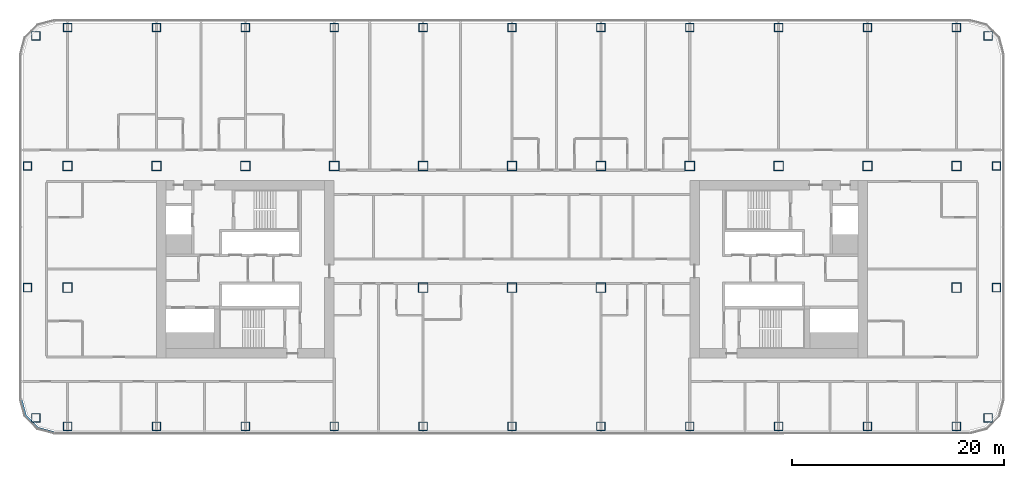
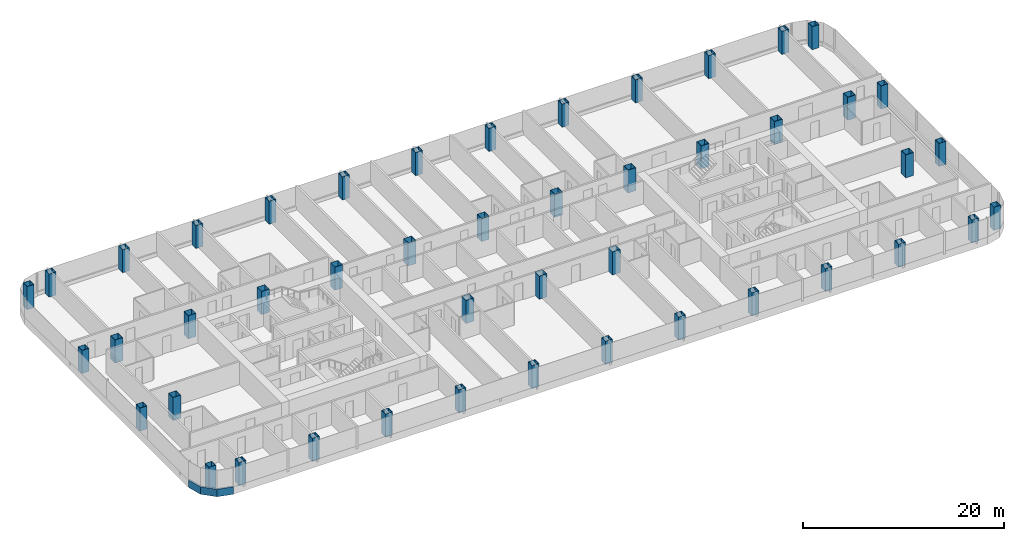
# One storey, part 1 of 29: 46 columns, 1 member, 1 element without a shape of its own.
"""IFC4 building model written with IfcOpenShell, lengths in metres."""

from ifc_helpers import new_model, si_unit, direction, frame, origin, origin_2d, place, context, subcontext, project, spatial, polyline, rectangle, hollow_rectangle, outline, extrude, material, layer, layer_set, material_profile, profile_set, type_object, element, aggregate, save


model = new_model("IFC4")

# Units and contexts
model_context = context("Model", 3, precision=1e-05, world=origin(), true_north=direction((0.0, 1.0)))
body_context = subcontext(model_context, "Body", "Model", "MODEL_VIEW")
ifc_project = project(units=[si_unit("LENGTHUNIT", "METRE"), si_unit("AREAUNIT", "SQUARE_METRE"), si_unit("VOLUMEUNIT", "CUBIC_METRE"), si_unit("PLANEANGLEUNIT", "RADIAN"), si_unit("MASSUNIT", "GRAM", prefix="KILO")], contexts=[model_context])

# Site, building, storey
site_placement = place(None, origin())
site = spatial("IfcSite", under=ifc_project, at=site_placement, CompositionType="ELEMENT")
building_placement = place(site_placement, origin())
building = spatial("IfcBuilding", under=site, at=building_placement, Name="Hakoniwa Tower and Hamabe Station Hall", CompositionType="ELEMENT")
storey_placement = place(building_placement, frame((0.0, 0.0, 78.60009765625)))
storey = spatial("IfcBuildingStorey", under=building, at=storey_placement, Name="L21", CompositionType="ELEMENT", Elevation=78.60009765625)

# Columns
ifc_material_1 = material(Name="Steel SN490C", Category="steel")
ifc_material_profile_1 = material_profile(ifc_material_1, hollow_rectangle(XDim=0.800048828125, YDim=0.800048828125, WallThickness=0.031982421875, at=origin_2d()), Name="BX-800x800x32")
ifc_profile_set_1 = profile_set([ifc_material_profile_1], Name="Steel SN490C")
column_type_1 = type_object("IfcColumnType", Name="COLUMN BX-800x800x32", PredefinedType="COLUMN", material=ifc_profile_set_1)
for number, where, z_axis, x_axis, name in (
    (1, (-45.003173828125, -14.052978515625, 0.0), (0.0, 0.0, 1.0), (1.0, 0.0, 0.0), "Column B2-EW-A2"),
    (2, (-45.800048828125, -1.75, 0.0), (0.0, 0.0, 1.0), (1.0, 0.0, 0.0), "Column B2-EW-C2"),
    (3, (-45.800048828125, 9.75, 0.0), (0.0, 0.0, 1.0), (1.0, 0.0, 0.0), "Column B2-EW-E2"),
    (4, (-45.003173828125, 22.052978515625, 0.0), (0.0, 0.0, 1.0), (1.0, 0.0, 0.0), "Column B2-EW-G2"),
    (5, (-42.0, -14.85009765625, 0.0), (0.0, 0.0, 1.0), (1.0, 0.0, 0.0), "Column B2-2-A2"),
    (6, (-42.0, 22.85009765625, 0.0), (0.0, 0.0, 1.0), (1.0, 0.0, 0.0), "Column B2-2-G2"),
    (7, (-33.60009765625, -14.85009765625, 0.0), (0.0, 0.0, 1.0), (1.0, 0.0, 0.0), "Column B2-3-A2"),
    (8, (-33.60009765625, 22.85009765625, 0.0), (0.0, 0.0, 1.0), (1.0, 0.0, 0.0), "Column B2-3-G2"),
    (9, (-25.199951171875, -14.85009765625, 0.0), (0.0, 0.0, 1.0), (1.0, 0.0, 0.0), "Column B2-4-A2"),
    (10, (-25.199951171875, 22.85009765625, 0.0), (0.0, 0.0, 1.0), (1.0, 0.0, 0.0), "Column B2-4-G2"),
    (11, (-16.800048828125, -14.85009765625, 0.0), (0.0, 0.0, 1.0), (1.0, 0.0, 0.0), "Column B2-5-A2"),
    (12, (-16.800048828125, 22.85009765625, 0.0), (0.0, 0.0, 1.0), (1.0, 0.0, 0.0), "Column B2-5-G2"),
    (13, (-8.39990234375, -14.85009765625, 0.0), (0.0, 0.0, 1.0), (1.0, 0.0, 0.0), "Column B2-6-A2"),
    (14, (-8.39990234375, 22.85009765625, 0.0), (0.0, 0.0, 1.0), (1.0, 0.0, 0.0), "Column B2-6-G2"),
    (15, (0.0, -14.85009765625, 0.0), (0.0, 0.0, 1.0), (1.0, 0.0, 0.0), "Column B2-7-A2"),
    (16, (0.0, 22.85009765625, 0.0), (0.0, 0.0, 1.0), (1.0, 0.0, 0.0), "Column B2-7-G2"),
    (17, (8.39990234375, -14.85009765625, 0.0), (0.0, 0.0, 1.0), (1.0, 0.0, 0.0), "Column B2-8-A2"),
    (18, (8.39990234375, 22.85009765625, 0.0), (0.0, 0.0, 1.0), (1.0, 0.0, 0.0), "Column B2-8-G2"),
    (19, (16.800048828125, -14.85009765625, 0.0), (0.0, 0.0, 1.0), (1.0, 0.0, 0.0), "Column B2-9-A2"),
    (20, (16.800048828125, 22.85009765625, 0.0), (0.0, 0.0, 1.0), (1.0, 0.0, 0.0), "Column B2-9-G2"),
    (21, (25.199951171875, -14.85009765625, 0.0), (0.0, 0.0, 1.0), (1.0, 0.0, 0.0), "Column B2-10-A2"),
    (22, (25.199951171875, 22.85009765625, 0.0), (0.0, 0.0, 1.0), (1.0, 0.0, 0.0), "Column B2-10-G2"),
    (23, (33.60009765625, -14.85009765625, 0.0), (0.0, 0.0, 1.0), (1.0, 0.0, 0.0), "Column B2-11-A2"),
    (24, (33.60009765625, 22.85009765625, 0.0), (0.0, 0.0, 1.0), (1.0, 0.0, 0.0), "Column B2-11-G2"),
    (25, (42.0, -14.85009765625, 0.0), (0.0, 0.0, 1.0), (1.0, 0.0, 0.0), "Column B2-12-A2"),
    (26, (42.0, 22.85009765625, 0.0), (0.0, 0.0, 1.0), (1.0, 0.0, 0.0), "Column B2-12-G2"),
    (27, (45.003173828125, -14.052978515625, 0.0), (0.0, 0.0, 1.0), (1.0, 0.0, 0.0), "Column B2-EE-A2"),
    (28, (45.800048828125, -1.75, 0.0), (0.0, 0.0, 1.0), (1.0, 0.0, 0.0), "Column B2-EE-C2"),
    (29, (45.800048828125, 9.75, 0.0), (0.0, 0.0, 1.0), (1.0, 0.0, 0.0), "Column B2-EE-E2"),
    (30, (45.003173828125, 22.052978515625, 0.0), (0.0, 0.0, 1.0), (1.0, 0.0, 0.0), "Column B2-EE-G2"),
):
    element("IfcColumn", number, at=place(storey_placement, frame(where, z_axis=z_axis, x_axis=x_axis)), inside=storey, type_object=column_type_1, Name=name, PredefinedType="COLUMN", context=body_context, shape_type="SweptSolid", body=[
        extrude(hollow_rectangle(XDim=0.800048828125, YDim=0.800048828125, WallThickness=0.031982421875, at=origin_2d()), origin(), (0.0, 0.0, 1.0), 2.7998046875),
    ])
ifc_material_2 = material(Name="Steel SN490C", Category="steel")
ifc_material_profile_2 = material_profile(ifc_material_2, hollow_rectangle(XDim=0.89990234375, YDim=0.89990234375, WallThickness=0.035888671875, at=origin_2d()), Name="BX-900x900x36")
ifc_profile_set_2 = profile_set([ifc_material_profile_2], Name="Steel SN490C")
column_type_2 = type_object("IfcColumnType", Name="COLUMN BX-900x900x36", PredefinedType="COLUMN", material=ifc_profile_set_2)
for number, where, z_axis, x_axis, name in (
    (31, (-42.0, -1.75, 0.0), (0.0, 0.0, 1.0), (1.0, 0.0, 0.0), "Column B2-2-C2"),
    (32, (-42.0, 9.75, 0.0), (0.0, 0.0, 1.0), (1.0, 0.0, 0.0), "Column B2-2-E2"),
    (33, (-33.60009765625, 9.75, 0.0), (0.0, 0.0, 1.0), (1.0, 0.0, 0.0), "Column B2-3-E2"),
    (34, (-25.199951171875, 9.75, 0.0), (0.0, 0.0, 1.0), (1.0, 0.0, 0.0), "Column B2-4-E2"),
    (35, (-16.800048828125, 9.75, 0.0), (0.0, 0.0, 1.0), (1.0, 0.0, 0.0), "Column B2-5-E2"),
    (36, (-8.39990234375, -1.75, 0.0), (0.0, 0.0, 1.0), (1.0, 0.0, 0.0), "Column B2-6-C2"),
    (37, (-8.39990234375, 9.75, 0.0), (0.0, 0.0, 1.0), (1.0, 0.0, 0.0), "Column B2-6-E2"),
    (38, (0.0, -1.75, 0.0), (0.0, 0.0, 1.0), (1.0, 0.0, 0.0), "Column B2-7-C2"),
    (39, (0.0, 9.75, 0.0), (0.0, 0.0, 1.0), (1.0, 0.0, 0.0), "Column B2-7-E2"),
    (40, (8.39990234375, -1.75, 0.0), (0.0, 0.0, 1.0), (1.0, 0.0, 0.0), "Column B2-8-C2"),
    (41, (8.39990234375, 9.75, 0.0), (0.0, 0.0, 1.0), (1.0, 0.0, 0.0), "Column B2-8-E2"),
    (42, (16.800048828125, 9.75, 0.0), (0.0, 0.0, 1.0), (1.0, 0.0, 0.0), "Column B2-9-E2"),
    (43, (25.199951171875, 9.75, 0.0), (0.0, 0.0, 1.0), (1.0, 0.0, 0.0), "Column B2-10-E2"),
    (44, (33.60009765625, 9.75, 0.0), (0.0, 0.0, 1.0), (1.0, 0.0, 0.0), "Column B2-11-E2"),
    (45, (42.0, -1.75, 0.0), (0.0, 0.0, 1.0), (1.0, 0.0, 0.0), "Column B2-12-C2"),
    (46, (42.0, 9.75, 0.0), (0.0, 0.0, 1.0), (1.0, 0.0, 0.0), "Column B2-12-E2"),
):
    element("IfcColumn", number, at=place(storey_placement, frame(where, z_axis=z_axis, x_axis=x_axis)), inside=storey, type_object=column_type_2, Name=name, PredefinedType="COLUMN", context=body_context, shape_type="SweptSolid", body=[
        extrude(hollow_rectangle(XDim=0.89990234375, YDim=0.89990234375, WallThickness=0.035888671875, at=origin_2d()), origin(), (0.0, 0.0, 1.0), 2.7998046875),
    ])

# Curtain wall, member
ifc_material_3 = material(Name="Dark low-e laminated glass", Category="glass")
ifc_layer = layer(ifc_material_3, 0.199951171875)
ifc_layer_set = layer_set([ifc_layer], Name="CW-1 UNITISED GUEST")
curtain_wall_type = type_object("IfcCurtainWallType", Name="CW-1 UNITISED GUEST", PredefinedType="NOTDEFINED", material=ifc_layer_set)
curtain_wall_placement = place(storey_placement, origin())
curtain_wall = element("IfcCurtainWall", 47, at=curtain_wall_placement, inside=storey, type_object=curtain_wall_type, Name="CW-1 curtain wall", PredefinedType="NOTDEFINED")
ifc_material_4 = material(Name="Aluminium 6063-T5 black anodised", Category="aluminium")
ifc_material_profile_3 = material_profile(ifc_material_4, rectangle(XDim=0.199951171875, YDim=0.89990234375, at=origin_2d()), Name="CW SLAB-EDGE BAND 900X200")
ifc_profile_set_3 = profile_set([ifc_material_profile_3], Name="Aluminium 6063-T5 black anodised")
member_type = type_object("IfcMemberType", Name="CW SLAB-EDGE BAND 900X200", PredefinedType="USERDEFINED", material=ifc_profile_set_3)
member_placement = place(storey_placement, frame((0.0, 0.0, -0.550048828125)))
member = element("IfcMember", 48, at=member_placement, type_object=member_type, Name="CW-1 transom", ObjectType="TRANSOM", PredefinedType="USERDEFINED", context=body_context, shape_type="SweptSolid", body=[
    extrude(outline(polyline([(-46.5, -12.28955078125), (-46.067138671875, -13.9052734375), (-44.855224609375, -15.116943359375), (-43.239501953125, -15.550048828125), (-43.187744140625, -15.35693359375), (-44.751708984375, -14.937744140625), (-45.8876953125, -13.8017578125), (-46.306884765625, -12.23779296875), (-46.5, -12.28955078125)])), origin(), (0.0, 0.0, 1.0), 0.89990234375),
])
aggregate(curtain_wall, [member])

save(model, "model.ifc")
